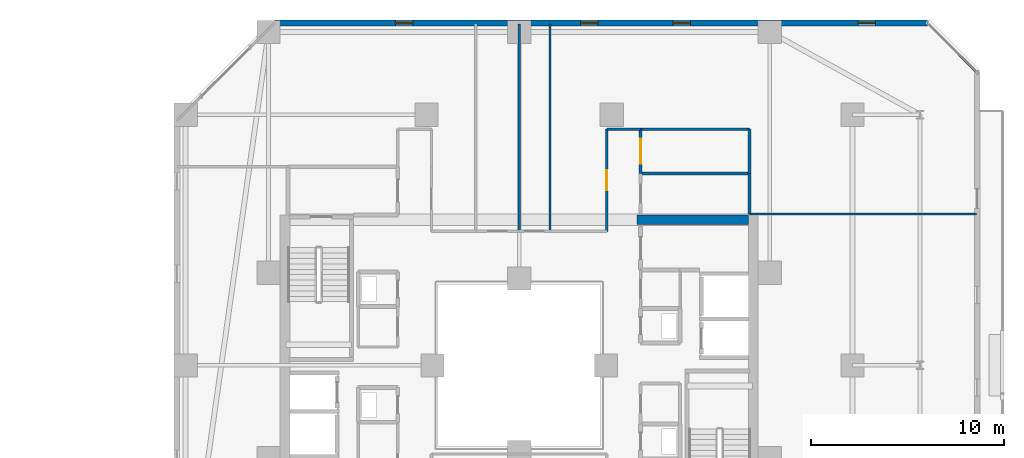
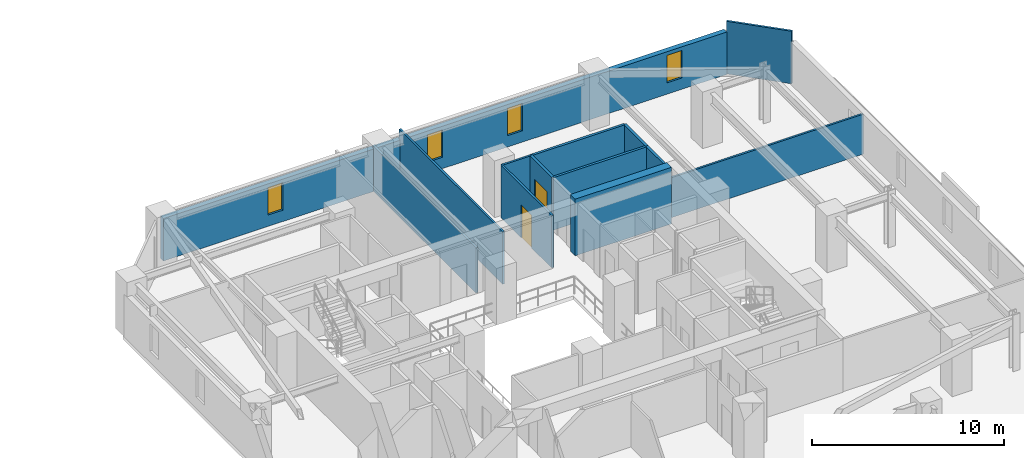
# One storey, part 25 of 33: 13 walls, 4 windows, 2 doors, 6 openings.
"""IFC4 building model written with IfcOpenShell, lengths in metres."""

from ifc_helpers import new_model, si_unit, direction, frame, frame_2d, origin, place, context, subcontext, project, spatial, rectangle, extrude, material, layer, layer_set, type_object, element, fill, save


model = new_model("IFC4")

# Units and contexts
model_context = context("Model", 3, precision=1e-05, world=origin(), true_north=direction((0.0, 1.0)))
body_context = subcontext(model_context, "Body", "Model", "MODEL_VIEW")
ifc_project = project(units=[si_unit("LENGTHUNIT", "METRE"), si_unit("AREAUNIT", "SQUARE_METRE"), si_unit("VOLUMEUNIT", "CUBIC_METRE"), si_unit("PLANEANGLEUNIT", "RADIAN"), si_unit("MASSUNIT", "GRAM", prefix="KILO")], contexts=[model_context])

# Site, building, storey
site_placement = place(None, origin())
site = spatial("IfcSite", under=ifc_project, at=site_placement, CompositionType="ELEMENT")
building_placement = place(site_placement, origin())
building = spatial("IfcBuilding", under=site, at=building_placement, Name="Thornwick Lancets Civic Towers", CompositionType="ELEMENT")
storey_placement = place(building_placement, frame((0.0, 0.0, 134.10009765625)))
storey = spatial("IfcBuildingStorey", under=building, at=storey_placement, Name="L35", CompositionType="ELEMENT", Elevation=134.10009765625)

# Wall
ifc_material_1 = material(Name="Concrete C50/60", Category="concrete")
ifc_layer_1 = layer(ifc_material_1, 0.5, Name="Concrete C50/60")
ifc_layer_set_1 = layer_set([ifc_layer_1], Name="Concrete C50/60")
wall_type_1 = type_object("IfcWallType", Name="WALL_CORE_500", PredefinedType="SHEAR", material=ifc_layer_set_1)
wall_1_placement = place(storey_placement, frame((94.60009765625, 34.550048828125, 0.0), z_axis=(0.0, 0.0, 1.0), x_axis=(1.0, 0.0, 0.0)))
element("IfcWall", 1, at=wall_1_placement, inside=storey, type_object=wall_type_1, Name="L35 Split Core B1 Shear Wall N", PredefinedType="SHEAR", context=body_context, shape_type="SweptSolid", body=[
    extrude(rectangle(XDim=5.7998046875, YDim=0.5, at=frame_2d((2.89990234375, 0.0))), origin(), (0.0, 0.0, 1.0), 3.599853515625),
])

# Wall, openings, windows
ifc_material_2 = material(Name="Insulated russet terracotta rainscreen on concrete C40/50", Category="masonry")
ifc_layer_2 = layer(ifc_material_2, 0.300048828125, Name="Insulated russet terracotta rainscreen on concrete C40/50")
ifc_layer_set_2 = layer_set([ifc_layer_2], Name="Insulated russet terracotta rainscreen on concrete C40/50")
wall_type_2 = type_object("IfcWallType", Name="WALL_EXT_RUSSET_300", PredefinedType="STANDARD", material=ifc_layer_set_2)
wall_2_placement = place(storey_placement, frame((109.681396484375, 44.7646484375, 0.0), z_axis=(0.0, 0.0, 1.0), x_axis=(-0.999999969988, -0.000244999128, 0.0)))
wall_2 = element("IfcWall", 2, at=wall_2_placement, inside=storey, type_object=wall_type_2, Name="L35 Tower B Terracotta Facade Wall E4", PredefinedType="STANDARD", context=body_context, shape_type="SweptSolid", body=[
    extrude(rectangle(XDim=33.880859375, YDim=0.300048828125, at=frame_2d((16.9404296875, 0.0))), origin(), (0.0, 0.0, 1.0), 2.699951171875),
])
opening_1_placement = place(wall_2_placement, frame((2.699951171875, 0.0, 0.719970703125)))
opening_1 = element("IfcOpeningElement", 3, at=opening_1_placement, cuts=wall_2, Name="Opening WL-01", PredefinedType="OPENING", context=body_context, shape_type="SweptSolid", body=[
    extrude(rectangle(XDim=0.89990234375, YDim=1.75, at=frame_2d((0.449951171875, 0.875))), frame((0.0, 0.16015625, 0.0), z_axis=(0.0, -1.0, 0.0), x_axis=(1.0, 0.0, 0.0)), (0.0, 0.0, 1.0), 0.320068359375),
])
opening_2_placement = place(wall_2_placement, frame((12.300048828125, 0.0, 0.719970703125)))
opening_2 = element("IfcOpeningElement", 4, at=opening_2_placement, cuts=wall_2, Name="Opening WL-01", PredefinedType="OPENING", context=body_context, shape_type="SweptSolid", body=[
    extrude(rectangle(XDim=0.89990234375, YDim=1.75, at=frame_2d((0.449951171875, 0.875))), frame((0.0, 0.16015625, 0.0), z_axis=(0.0, -1.0, 0.0), x_axis=(1.0, 0.0, 0.0)), (0.0, 0.0, 1.0), 0.320068359375),
])
opening_3_placement = place(wall_2_placement, frame((17.10009765625, 0.0, 0.719970703125)))
opening_3 = element("IfcOpeningElement", 5, at=opening_3_placement, cuts=wall_2, Name="Opening WL-01", PredefinedType="OPENING", context=body_context, shape_type="SweptSolid", body=[
    extrude(rectangle(XDim=0.89990234375, YDim=1.75, at=frame_2d((0.449951171875, 0.875))), frame((0.0, 0.16015625, 0.0), z_axis=(0.0, -1.0, 0.0), x_axis=(1.0, 0.0, 0.0)), (0.0, 0.0, 1.0), 0.320068359375),
])
opening_4_placement = place(wall_2_placement, frame((26.699951171875, 0.0, 0.719970703125)))
opening_4 = element("IfcOpeningElement", 6, at=opening_4_placement, cuts=wall_2, Name="Opening WL-01", PredefinedType="OPENING", context=body_context, shape_type="SweptSolid", body=[
    extrude(rectangle(XDim=0.89990234375, YDim=1.75, at=frame_2d((0.449951171875, 0.875))), frame((0.0, 0.16015625, 0.0), z_axis=(0.0, -1.0, 0.0), x_axis=(1.0, 0.0, 0.0)), (0.0, 0.0, 1.0), 0.320068359375),
])
ifc_material_3 = material(Name="Clear low-e double glazing in bronze frame", Category="glass")
window_type = type_object("IfcWindowType", Name="WIN_LANCET_900", PartitioningType="SINGLE_PANEL", PredefinedType="WINDOW", material=ifc_material_3)
window_1_placement = place(opening_1_placement, origin())
window_1 = element("IfcWindow", 7, at=window_1_placement, inside=storey, type_object=window_type, Name="L35 Tower B Staggered Lancet Window E4-1", OverallHeight=1.75, OverallWidth=0.89990234375, PartitioningType="SINGLE_PANEL", PredefinedType="WINDOW", context=body_context, shape_type="SweptSolid", body=[
    extrude(rectangle(XDim=0.89990234375, YDim=1.75, at=frame_2d((0.449951171875, 0.875))), frame((0.0, 0.030029296875, 0.0), z_axis=(0.0, -1.0, 0.0), x_axis=(1.0, 0.0, 0.0)), (0.0, 0.0, 1.0), 0.06005859375),
])
fill(opening_1, window_1)
window_2_placement = place(opening_2_placement, origin())
window_2 = element("IfcWindow", 8, at=window_2_placement, inside=storey, type_object=window_type, Name="L35 Tower B Staggered Lancet Window E4-2", OverallHeight=1.75, OverallWidth=0.89990234375, PartitioningType="SINGLE_PANEL", PredefinedType="WINDOW", context=body_context, shape_type="SweptSolid", body=[
    extrude(rectangle(XDim=0.89990234375, YDim=1.75, at=frame_2d((0.449951171875, 0.875))), frame((0.0, 0.030029296875, 0.0), z_axis=(0.0, -1.0, 0.0), x_axis=(1.0, 0.0, 0.0)), (0.0, 0.0, 1.0), 0.06005859375),
])
fill(opening_2, window_2)
window_3_placement = place(opening_3_placement, origin())
window_3 = element("IfcWindow", 9, at=window_3_placement, inside=storey, type_object=window_type, Name="L35 Tower B Staggered Lancet Window E4-3", OverallHeight=1.75, OverallWidth=0.89990234375, PartitioningType="SINGLE_PANEL", PredefinedType="WINDOW", context=body_context, shape_type="SweptSolid", body=[
    extrude(rectangle(XDim=0.89990234375, YDim=1.75, at=frame_2d((0.449951171875, 0.875))), frame((0.0, 0.030029296875, 0.0), z_axis=(0.0, -1.0, 0.0), x_axis=(1.0, 0.0, 0.0)), (0.0, 0.0, 1.0), 0.06005859375),
])
fill(opening_3, window_3)
window_4_placement = place(opening_4_placement, origin())
window_4 = element("IfcWindow", 10, at=window_4_placement, inside=storey, type_object=window_type, Name="L35 Tower B Staggered Lancet Window E4-4", OverallHeight=1.75, OverallWidth=0.89990234375, PartitioningType="SINGLE_PANEL", PredefinedType="WINDOW", context=body_context, shape_type="SweptSolid", body=[
    extrude(rectangle(XDim=0.89990234375, YDim=1.75, at=frame_2d((0.449951171875, 0.875))), frame((0.0, 0.030029296875, 0.0), z_axis=(0.0, -1.0, 0.0), x_axis=(1.0, 0.0, 0.0)), (0.0, 0.0, 1.0), 0.06005859375),
])
fill(opening_4, window_4)

# Wall
ifc_material_4 = material(Name="Acoustic gypsum board partition")
ifc_layer_3 = layer(ifc_material_4, 0.1201171875, Name="Acoustic gypsum board partition")
ifc_layer_set_3 = layer_set([ifc_layer_3], Name="Acoustic gypsum board partition")
wall_type_3 = type_object("IfcWallType", Name="WALL_PART_120", PredefinedType="PARTITIONING", material=ifc_layer_set_3)
wall_3_placement = place(storey_placement, frame((94.800048828125, 39.25, 0.0), z_axis=(0.0, 0.0, 1.0), x_axis=(-1.0, 0.0, 0.0)))
element("IfcWall", 11, at=wall_3_placement, inside=storey, type_object=wall_type_3, Name="L35 Partition L35-B-E1 E4", PredefinedType="PARTITIONING", context=body_context, shape_type="SweptSolid", body=[
    extrude(rectangle(XDim=1.75, YDim=0.1201171875, at=frame_2d((0.875, 0.0))), origin(), (0.0, 0.0, 1.0), 3.33984375),
])

# Wall, opening, door
wall_4_placement = place(storey_placement, frame((93.050048828125, 39.25, 0.0), z_axis=(0.0, 0.0, 1.0), x_axis=(0.0, -1.0, 0.0)))
wall_4 = element("IfcWall", 12, at=wall_4_placement, inside=storey, type_object=wall_type_3, Name="L35 Partition L35-B-E1 E5", PredefinedType="PARTITIONING", context=body_context, shape_type="SweptSolid", body=[
    extrude(rectangle(XDim=5.300048828125, YDim=0.1201171875, at=frame_2d((2.64990234375, 0.0))), origin(), (0.0, 0.0, 1.0), 3.33984375),
])
opening_5_placement = place(wall_4_placement, frame((2.125, 0.0, 0.0)))
opening_5 = element("IfcOpeningElement", 13, at=opening_5_placement, cuts=wall_4, Name="Opening D-L35-1613", PredefinedType="OPENING", context=body_context, shape_type="SweptSolid", body=[
    extrude(rectangle(XDim=1.050048828125, YDim=2.10009765625, at=frame_2d((0.52490234375, 1.050048828125))), frame((0.0, 0.070068359375, 0.0), z_axis=(0.0, -1.0, 0.0), x_axis=(1.0, 0.0, 0.0)), (0.0, 0.0, 1.0), 0.14013671875),
])
ifc_material_5 = material(Name="Glazed European oak executive doorset")
door_type_1 = type_object("IfcDoorType", Name="DOOR_OFFICE_1050", OperationType="NOTDEFINED", PredefinedType="DOOR", material=ifc_material_5)
door_1_placement = place(opening_5_placement, origin())
door_1 = element("IfcDoor", 14, at=door_1_placement, inside=storey, type_object=door_type_1, Name="L35 Tower B Secretariat Open Office E1 Door", OperationType="SINGLE_SWING_RIGHT", OverallHeight=2.10009765625, OverallWidth=1.050048828125, PredefinedType="DOOR", context=body_context, shape_type="SweptSolid", body=[
    extrude(rectangle(XDim=1.050048828125, YDim=2.10009765625, at=frame_2d((0.52490234375, 1.050048828125))), frame((0.0, 0.02490234375, 0.0), z_axis=(0.0, -1.0, 0.0), x_axis=(1.0, 0.0, 0.0)), (0.0, 0.0, 1.0), 0.050048828125),
])
fill(opening_5, door_1)

# Walls
wall_5_placement = place(storey_placement, frame((90.10009765625, 33.949951171875, 0.0), z_axis=(0.0, 0.0, 1.0), x_axis=(0.0, 1.0, 0.0)))
element("IfcWall", 15, at=wall_5_placement, inside=storey, type_object=wall_type_3, Name="L35 Partition L35-B-E1 E7", PredefinedType="PARTITIONING", context=body_context, shape_type="SweptSolid", body=[
    extrude(rectangle(XDim=10.77001953125, YDim=0.1201171875, at=frame_2d((5.385009765625, 0.0))), origin(), (0.0, 0.0, 1.0), 3.33984375),
])
wall_6_placement = place(storey_placement, frame((109.725341796875, 44.719970703125, 0.0), z_axis=(0.0, 0.0, 1.0), x_axis=(0.707106781187, -0.707106781187, 0.0)))
element("IfcWall", 16, at=wall_6_placement, inside=storey, type_object=wall_type_3, Name="L35 Partition L35-B-E1 E9", PredefinedType="PARTITIONING", context=body_context, shape_type="SweptSolid", body=[
    extrude(rectangle(XDim=3.52783203125, YDim=0.1201171875, at=frame_2d((1.763916015625, 0.0))), origin(), (0.0, 0.0, 1.0), 3.33984375),
])
wall_7_placement = place(storey_placement, frame((112.219970703125, 34.85009765625, 0.0), z_axis=(0.0, 0.0, 1.0), x_axis=(-1.0, 0.0, 0.0)))
element("IfcWall", 17, at=wall_7_placement, inside=storey, type_object=wall_type_3, Name="L35 Partition L35-B-E1 E11", PredefinedType="PARTITIONING", context=body_context, shape_type="SweptSolid", body=[
    extrude(rectangle(XDim=11.77001953125, YDim=0.1201171875, at=frame_2d((5.885009765625, 0.0))), origin(), (0.0, 0.0, 1.0), 2.544921875),
])
wall_8_placement = place(storey_placement, frame((88.5, 33.949951171875, 0.0), z_axis=(0.0, 0.0, 1.0), x_axis=(0.0, 1.0, 0.0)))
element("IfcWall", 18, at=wall_8_placement, inside=storey, type_object=wall_type_3, Name="L35 Partition L35-B-E2 E1", PredefinedType="PARTITIONING", context=body_context, shape_type="SweptSolid", body=[
    extrude(rectangle(XDim=10.77001953125, YDim=0.1201171875, at=frame_2d((5.385009765625, 0.0))), origin(), (0.0, 0.0, 1.0), 2.877685546875),
])
ifc_material_6 = material(Name="Twin-stud acoustic gypsum board")
ifc_layer_4 = layer(ifc_material_6, 0.14990234375, Name="Twin-stud acoustic gypsum board")
ifc_layer_set_4 = layer_set([ifc_layer_4], Name="Twin-stud acoustic gypsum board")
wall_type_4 = type_object("IfcWallType", Name="WALL_PART_150", PredefinedType="PARTITIONING", material=ifc_layer_set_4)
wall_9_placement = place(storey_placement, frame((100.449951171875, 36.949951171875, 0.0), z_axis=(0.0, 0.0, 1.0), x_axis=(0.0, -1.0, 0.0)))
element("IfcWall", 19, at=wall_9_placement, inside=storey, type_object=wall_type_4, Name="L35 Partition L35-B-RECLAIM-L1 E1", PredefinedType="PARTITIONING", context=body_context, shape_type="SweptSolid", body=[
    extrude(rectangle(XDim=2.099853515625, YDim=0.14990234375, at=frame_2d((1.0498046875, 0.0))), origin(), (0.0, 0.0, 1.0), 3.33984375),
])
wall_10_placement = place(storey_placement, frame((94.800048828125, 36.949951171875, 0.0), z_axis=(0.0, 0.0, 1.0), x_axis=(1.0, 0.0, 0.0)))
element("IfcWall", 20, at=wall_10_placement, inside=storey, type_object=wall_type_4, Name="L35 Partition L35-B-RECLAIM-L1 E4", PredefinedType="PARTITIONING", context=body_context, shape_type="SweptSolid", body=[
    extrude(rectangle(XDim=5.64990234375, YDim=0.14990234375, at=frame_2d((2.824951171875, 0.0))), origin(), (0.0, 0.0, 1.0), 3.33984375),
])

# Wall, opening, door
wall_11_placement = place(storey_placement, frame((94.800048828125, 36.949951171875, 0.0), z_axis=(0.0, 0.0, 1.0), x_axis=(0.0, 1.0, 0.0)))
wall_11 = element("IfcWall", 21, at=wall_11_placement, inside=storey, type_object=wall_type_4, Name="L35 Partition L35-B-RECLAIM-L2 E1", PredefinedType="PARTITIONING", context=body_context, shape_type="SweptSolid", body=[
    extrude(rectangle(XDim=2.300048828125, YDim=0.14990234375, at=frame_2d((1.14990234375, 0.0))), origin(), (0.0, 0.0, 1.0), 3.33984375),
])
opening_6_placement = place(wall_11_placement, frame((0.5, 0.0, 0.0)))
opening_6 = element("IfcOpeningElement", 22, at=opening_6_placement, cuts=wall_11, Name="Opening D-L35-1609", PredefinedType="OPENING", context=body_context, shape_type="SweptSolid", body=[
    extrude(rectangle(XDim=1.300048828125, YDim=2.1201171875, at=frame_2d((0.64990234375, 1.06005859375))), frame((0.0, 0.0849609375, 0.0), z_axis=(0.0, -1.0, 0.0), x_axis=(1.0, 0.0, 0.0)), (0.0, 0.0, 1.0), 0.169921875),
])
ifc_material_7 = material(Name="Acoustic oak leaf-and-a-half doorset")
door_type_2 = type_object("IfcDoorType", Name="DOOR_MEET_1300", OperationType="DOUBLE_DOOR_SINGLE_SWING", PredefinedType="DOOR", material=ifc_material_7)
door_2_placement = place(opening_6_placement, origin())
door_2 = element("IfcDoor", 23, at=door_2_placement, inside=storey, type_object=door_type_2, Name="L35 Tower B Ministerial Consultation Room Door", OperationType="DOUBLE_DOOR_SINGLE_SWING", OverallHeight=2.1201171875, OverallWidth=1.300048828125, PredefinedType="DOOR", context=body_context, shape_type="SweptSolid", body=[
    extrude(rectangle(XDim=1.300048828125, YDim=2.1201171875, at=frame_2d((0.64990234375, 1.06005859375))), frame((0.0, 0.02490234375, 0.0), z_axis=(0.0, -1.0, 0.0), x_axis=(1.0, 0.0, 0.0)), (0.0, 0.0, 1.0), 0.050048828125),
])
fill(opening_6, door_2)

# Walls
wall_12_placement = place(storey_placement, frame((94.800048828125, 39.25, 0.0), z_axis=(0.0, 0.0, 1.0), x_axis=(1.0, 0.0, 0.0)))
element("IfcWall", 24, at=wall_12_placement, inside=storey, type_object=wall_type_4, Name="L35 Partition L35-B-RECLAIM-L2 E2", PredefinedType="PARTITIONING", context=body_context, shape_type="SweptSolid", body=[
    extrude(rectangle(XDim=5.64990234375, YDim=0.14990234375, at=frame_2d((2.824951171875, 0.0))), origin(), (0.0, 0.0, 1.0), 3.33984375),
])
wall_13_placement = place(storey_placement, frame((100.449951171875, 39.25, 0.0), z_axis=(0.0, 0.0, 1.0), x_axis=(0.0, -1.0, 0.0)))
element("IfcWall", 25, at=wall_13_placement, inside=storey, type_object=wall_type_4, Name="L35 Partition L35-B-RECLAIM-L2 E3", PredefinedType="PARTITIONING", context=body_context, shape_type="SweptSolid", body=[
    extrude(rectangle(XDim=2.300048828125, YDim=0.14990234375, at=frame_2d((1.14990234375, 0.0))), origin(), (0.0, 0.0, 1.0), 3.33984375),
])

save(model, "model.ifc")
